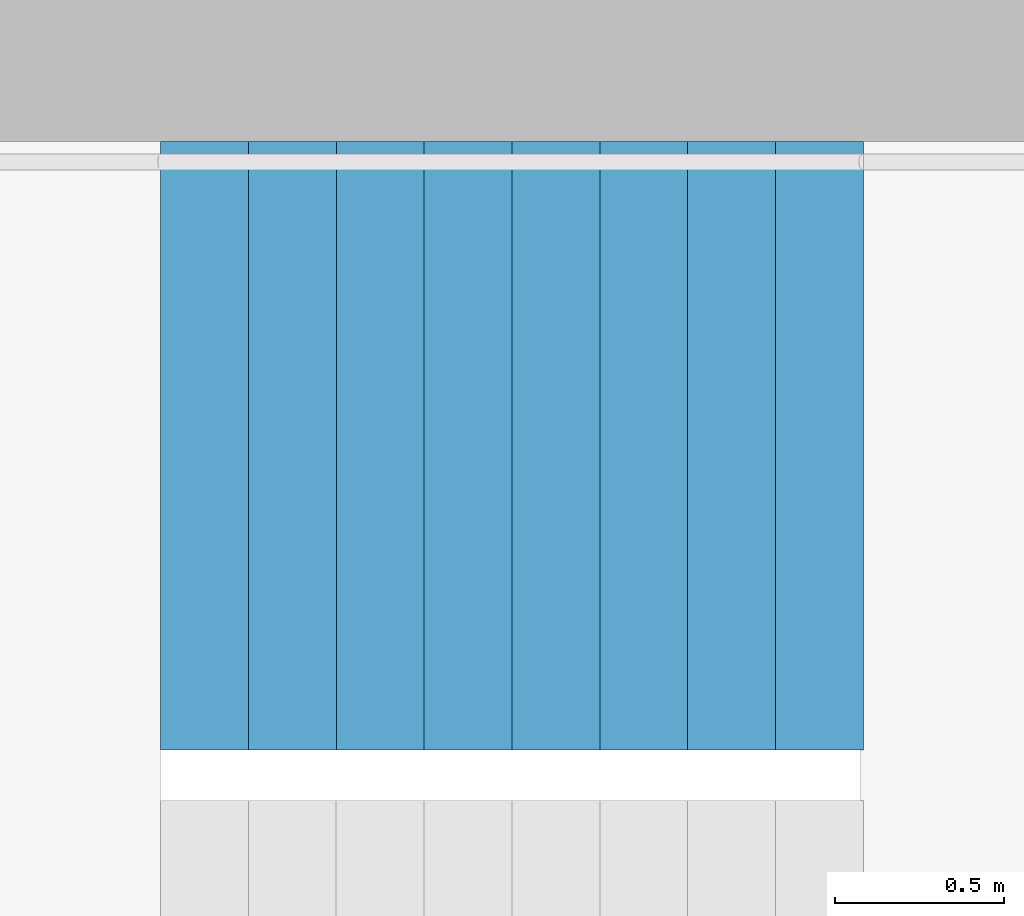
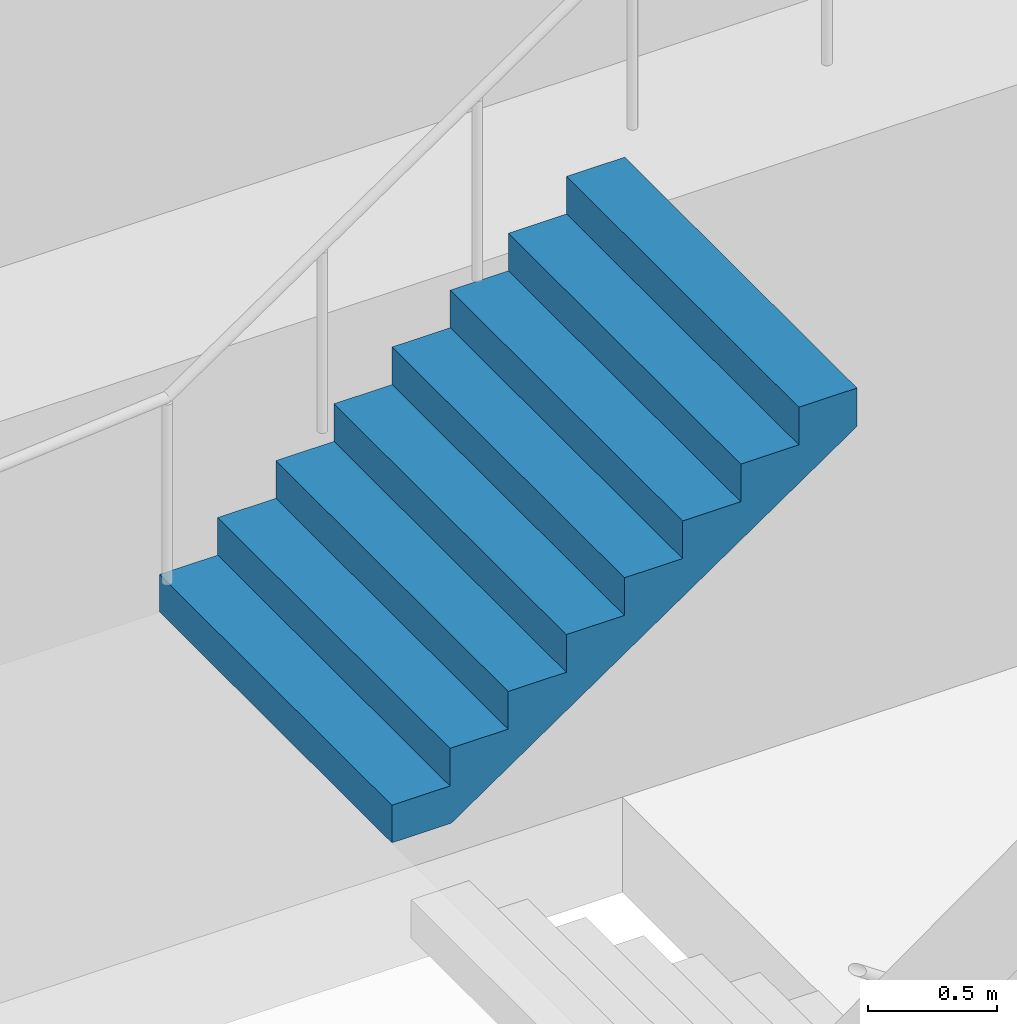
# One storey, part 24 of 25: 1 stair flight, 1 element without a shape of its own.
"""IFC4 building model written with IfcOpenShell, lengths in metres."""

from ifc_helpers import new_model, si_unit, direction, frame, origin, place, context, subcontext, project, spatial, triangles, material, type_object, element, aggregate, save


model = new_model("IFC4")

# Units and contexts
model_context = context("Model", 3, precision=1e-05, world=origin(), true_north=direction((0.0, 1.0)))
body_context = subcontext(model_context, "Body", "Model", "MODEL_VIEW")
ifc_project = project(units=[si_unit("LENGTHUNIT", "METRE"), si_unit("AREAUNIT", "SQUARE_METRE"), si_unit("VOLUMEUNIT", "CUBIC_METRE"), si_unit("PLANEANGLEUNIT", "RADIAN"), si_unit("MASSUNIT", "GRAM", prefix="KILO")], contexts=[model_context])

# Site, building, storey
site_placement = place(None, origin())
site = spatial("IfcSite", under=ifc_project, at=site_placement, CompositionType="ELEMENT")
building_placement = place(site_placement, origin())
building = spatial("IfcBuilding", under=site, at=building_placement, Name="Hakoniwa Tower and Hamabe Station Hall", CompositionType="ELEMENT")
storey_placement = place(building_placement, frame((0.0, 0.0, 186.60009765625)))
storey = spatial("IfcBuildingStorey", under=building, at=storey_placement, Name="L52", CompositionType="ELEMENT", Elevation=186.60009765625)

# Stair, stair flight
ifc_material_1 = material(Name="Concrete C40", Category="concrete")
stair_type = type_object("IfcStairType", Name="ESCAPE STAIR 1800", PredefinedType="HALF_TURN_STAIR", material=ifc_material_1)
stair_placement = place(storey_placement, origin())
stair = element("IfcStair", 1, at=stair_placement, inside=storey, type_object=stair_type, Name="Escape stair ST-3 L52", PredefinedType="HALF_TURN_STAIR")
ifc_material_2 = material(Name="Concrete C40", Category="concrete")
stair_flight_type = type_object("IfcStairFlightType", Name="STAIR FLIGHT 1800", PredefinedType="STRAIGHT", material=ifc_material_2)
stair_flight_placement = place(storey_placement, frame((22.320068359375, 6.60009765625, 1.599853515625), z_axis=(0.0, 0.0, 1.0), x_axis=(1.0, 0.0, 0.0)))
stair_flight = element("IfcStairFlight", 2, at=stair_flight_placement, type_object=stair_flight_type, Name="ST-3 flight 2", NumberOfRisers=9, NumberOfTreads=8, PredefinedType="STRAIGHT", RiserHeight=0.177777778, TreadLength=0.26, context=body_context, shape_type="Tessellation", body=[
    triangles([(0.0, 0.89990234375, 0.0), (0.260009765625, 0.89990234375, 0.0), (0.265625, 0.89990234375, 0.0), (0.52001953125, 0.89990234375, 0.174072265625), (0.780029296875, 0.89990234375, 0.351806640625), (1.0400390625, 0.89990234375, 0.529541015625), (1.300048828125, 0.89990234375, 0.707275390625), (1.56005859375, 0.89990234375, 0.885009765625), (1.820068359375, 0.89990234375, 1.062744140625), (2.080078125, 0.89990234375, 1.24072265625), (2.080078125, 0.89990234375, 1.422119140625), (1.820068359375, 0.89990234375, 1.422119140625), (1.820068359375, 0.89990234375, 1.244384765625), (1.56005859375, 0.89990234375, 1.244384765625), (1.56005859375, 0.89990234375, 1.066650390625), (1.300048828125, 0.89990234375, 1.066650390625), (1.300048828125, 0.89990234375, 0.888916015625), (1.0400390625, 0.89990234375, 0.888916015625), (1.0400390625, 0.89990234375, 0.711181640625), (0.780029296875, 0.89990234375, 0.711181640625), (0.780029296875, 0.89990234375, 0.533447265625), (0.52001953125, 0.89990234375, 0.533447265625), (0.52001953125, 0.89990234375, 0.35546875), (0.265625, 0.89990234375, 0.35546875), (0.260009765625, 0.89990234375, 0.35546875), (0.260009765625, 0.89990234375, 0.177734375), (0.0, 0.89990234375, 0.177734375), (0.0, 0.06005859375, 0.0), (0.260009765625, 0.06005859375, 0.0), (0.265625, 0.06005859375, 0.0), (0.52001953125, 0.06005859375, 0.174072265625), (0.780029296875, 0.06005859375, 0.351806640625), (1.0400390625, 0.06005859375, 0.529541015625), (1.300048828125, 0.06005859375, 0.707275390625), (1.56005859375, 0.06005859375, 0.885009765625), (1.820068359375, 0.06005859375, 1.062744140625), (2.080078125, 0.06005859375, 1.24072265625), (2.080078125, 0.06005859375, 1.422119140625), (1.820068359375, 0.06005859375, 1.422119140625), (1.820068359375, 0.06005859375, 1.244384765625), (1.56005859375, 0.06005859375, 1.244384765625), (1.56005859375, 0.06005859375, 1.066650390625), (1.300048828125, 0.06005859375, 1.066650390625), (1.300048828125, 0.06005859375, 0.888916015625), (1.0400390625, 0.06005859375, 0.888916015625), (1.0400390625, 0.06005859375, 0.711181640625), (0.780029296875, 0.06005859375, 0.711181640625), (0.780029296875, 0.06005859375, 0.533447265625), (0.52001953125, 0.06005859375, 0.533447265625), (0.52001953125, 0.06005859375, 0.35546875), (0.265625, 0.06005859375, 0.35546875), (0.260009765625, 0.06005859375, 0.35546875), (0.260009765625, 0.06005859375, 0.177734375), (0.0, 0.06005859375, 0.177734375), (0.0, 0.04296875, 0.0), (0.260009765625, 0.04296875, 0.0), (0.265625, 0.04296875, 0.0), (0.52001953125, 0.04296875, 0.174072265625), (0.780029296875, 0.04296875, 0.351806640625), (1.0400390625, 0.04296875, 0.529541015625), (1.300048828125, 0.04296875, 0.707275390625), (1.56005859375, 0.04296875, 0.885009765625), (1.820068359375, 0.04296875, 1.062744140625), (2.080078125, 0.04296875, 1.24072265625), (2.080078125, 0.04296875, 1.422119140625), (1.820068359375, 0.04296875, 1.422119140625), (1.820068359375, 0.04296875, 1.244384765625), (1.56005859375, 0.04296875, 1.244384765625), (1.56005859375, 0.04296875, 1.066650390625), (1.300048828125, 0.04296875, 1.066650390625), (1.300048828125, 0.04296875, 0.888916015625), (1.0400390625, 0.04296875, 0.888916015625), (1.0400390625, 0.04296875, 0.711181640625), (0.780029296875, 0.04296875, 0.711181640625), (0.780029296875, 0.04296875, 0.533447265625), (0.52001953125, 0.04296875, 0.533447265625), (0.52001953125, 0.04296875, 0.35546875), (0.265625, 0.04296875, 0.35546875), (0.260009765625, 0.04296875, 0.35546875), (0.260009765625, 0.04296875, 0.177734375), (0.0, 0.04296875, 0.177734375), (0.0, 0.025634765625, 0.0), (0.260009765625, 0.025634765625, 0.0), (0.265625, 0.025634765625, 0.0), (0.52001953125, 0.025634765625, 0.174072265625), (0.780029296875, 0.025634765625, 0.351806640625), (1.0400390625, 0.025634765625, 0.529541015625), (1.300048828125, 0.025634765625, 0.707275390625), (1.56005859375, 0.025634765625, 0.885009765625), (1.820068359375, 0.025634765625, 1.062744140625), (2.080078125, 0.025634765625, 1.24072265625), (2.080078125, 0.025634765625, 1.422119140625), (1.820068359375, 0.025634765625, 1.422119140625), (1.820068359375, 0.025634765625, 1.244384765625), (1.56005859375, 0.025634765625, 1.244384765625), (1.56005859375, 0.025634765625, 1.066650390625), (1.300048828125, 0.025634765625, 1.066650390625), (1.300048828125, 0.025634765625, 0.888916015625), (1.0400390625, 0.025634765625, 0.888916015625), (1.0400390625, 0.025634765625, 0.711181640625), (0.780029296875, 0.025634765625, 0.711181640625), (0.780029296875, 0.025634765625, 0.533447265625), (0.52001953125, 0.025634765625, 0.533447265625), (0.52001953125, 0.025634765625, 0.35546875), (0.265625, 0.025634765625, 0.35546875), (0.260009765625, 0.025634765625, 0.35546875), (0.260009765625, 0.025634765625, 0.177734375), (0.0, 0.025634765625, 0.177734375), (0.0, 0.008544921875, 0.0), (0.260009765625, 0.008544921875, 0.0), (0.265625, 0.008544921875, 0.0), (0.52001953125, 0.008544921875, 0.174072265625), (0.780029296875, 0.008544921875, 0.351806640625), (1.0400390625, 0.008544921875, 0.529541015625), (1.300048828125, 0.008544921875, 0.707275390625), (1.56005859375, 0.008544921875, 0.885009765625), (1.820068359375, 0.008544921875, 1.062744140625), (2.080078125, 0.008544921875, 1.24072265625), (2.080078125, 0.008544921875, 1.422119140625), (1.820068359375, 0.008544921875, 1.422119140625), (1.820068359375, 0.008544921875, 1.244384765625), (1.56005859375, 0.008544921875, 1.244384765625), (1.56005859375, 0.008544921875, 1.066650390625), (1.300048828125, 0.008544921875, 1.066650390625), (1.300048828125, 0.008544921875, 0.888916015625), (1.0400390625, 0.008544921875, 0.888916015625), (1.0400390625, 0.008544921875, 0.711181640625), (0.780029296875, 0.008544921875, 0.711181640625), (0.780029296875, 0.008544921875, 0.533447265625), (0.52001953125, 0.008544921875, 0.533447265625), (0.52001953125, 0.008544921875, 0.35546875), (0.265625, 0.008544921875, 0.35546875), (0.260009765625, 0.008544921875, 0.35546875), (0.260009765625, 0.008544921875, 0.177734375), (0.0, 0.008544921875, 0.177734375), (0.0, -0.008544921875, 0.0), (0.260009765625, -0.008544921875, 0.0), (0.265625, -0.008544921875, 0.0), (0.52001953125, -0.008544921875, 0.174072265625), (0.780029296875, -0.008544921875, 0.351806640625), (1.0400390625, -0.008544921875, 0.529541015625), (1.300048828125, -0.008544921875, 0.707275390625), (1.56005859375, -0.008544921875, 0.885009765625), (1.820068359375, -0.008544921875, 1.062744140625), (2.080078125, -0.008544921875, 1.24072265625), (2.080078125, -0.008544921875, 1.422119140625), (1.820068359375, -0.008544921875, 1.422119140625), (1.820068359375, -0.008544921875, 1.244384765625), (1.56005859375, -0.008544921875, 1.244384765625), (1.56005859375, -0.008544921875, 1.066650390625), (1.300048828125, -0.008544921875, 1.066650390625), (1.300048828125, -0.008544921875, 0.888916015625), (1.0400390625, -0.008544921875, 0.888916015625), (1.0400390625, -0.008544921875, 0.711181640625), (0.780029296875, -0.008544921875, 0.711181640625), (0.780029296875, -0.008544921875, 0.533447265625), (0.52001953125, -0.008544921875, 0.533447265625), (0.52001953125, -0.008544921875, 0.35546875), (0.265625, -0.008544921875, 0.35546875), (0.260009765625, -0.008544921875, 0.35546875), (0.260009765625, -0.008544921875, 0.177734375), (0.0, -0.008544921875, 0.177734375), (0.0, -0.025634765625, 0.0), (0.260009765625, -0.025634765625, 0.0), (0.265625, -0.025634765625, 0.0), (0.52001953125, -0.025634765625, 0.174072265625), (0.780029296875, -0.025634765625, 0.351806640625), (1.0400390625, -0.025634765625, 0.529541015625), (1.300048828125, -0.025634765625, 0.707275390625), (1.56005859375, -0.025634765625, 0.885009765625), (1.820068359375, -0.025634765625, 1.062744140625), (2.080078125, -0.025634765625, 1.24072265625), (2.080078125, -0.025634765625, 1.422119140625), (1.820068359375, -0.025634765625, 1.422119140625), (1.820068359375, -0.025634765625, 1.244384765625), (1.56005859375, -0.025634765625, 1.244384765625), (1.56005859375, -0.025634765625, 1.066650390625), (1.300048828125, -0.025634765625, 1.066650390625), (1.300048828125, -0.025634765625, 0.888916015625), (1.0400390625, -0.025634765625, 0.888916015625), (1.0400390625, -0.025634765625, 0.711181640625), (0.780029296875, -0.025634765625, 0.711181640625), (0.780029296875, -0.025634765625, 0.533447265625), (0.52001953125, -0.025634765625, 0.533447265625), (0.52001953125, -0.025634765625, 0.35546875), (0.265625, -0.025634765625, 0.35546875), (0.260009765625, -0.025634765625, 0.35546875), (0.260009765625, -0.025634765625, 0.177734375), (0.0, -0.025634765625, 0.177734375), (0.0, -0.04296875, 0.0), (0.260009765625, -0.04296875, 0.0), (0.265625, -0.04296875, 0.0), (0.52001953125, -0.04296875, 0.174072265625), (0.780029296875, -0.04296875, 0.351806640625), (1.0400390625, -0.04296875, 0.529541015625), (1.300048828125, -0.04296875, 0.707275390625), (1.56005859375, -0.04296875, 0.885009765625), (1.820068359375, -0.04296875, 1.062744140625), (2.080078125, -0.04296875, 1.24072265625), (2.080078125, -0.04296875, 1.422119140625), (1.820068359375, -0.04296875, 1.422119140625), (1.820068359375, -0.04296875, 1.244384765625), (1.56005859375, -0.04296875, 1.244384765625), (1.56005859375, -0.04296875, 1.066650390625), (1.300048828125, -0.04296875, 1.066650390625), (1.300048828125, -0.04296875, 0.888916015625), (1.0400390625, -0.04296875, 0.888916015625), (1.0400390625, -0.04296875, 0.711181640625), (0.780029296875, -0.04296875, 0.711181640625), (0.780029296875, -0.04296875, 0.533447265625), (0.52001953125, -0.04296875, 0.533447265625), (0.52001953125, -0.04296875, 0.35546875), (0.265625, -0.04296875, 0.35546875), (0.260009765625, -0.04296875, 0.35546875), (0.260009765625, -0.04296875, 0.177734375), (0.0, -0.04296875, 0.177734375), (0.0, -0.06005859375, 0.0), (0.260009765625, -0.06005859375, 0.0), (0.265625, -0.06005859375, 0.0), (0.52001953125, -0.06005859375, 0.174072265625), (0.780029296875, -0.06005859375, 0.351806640625), (1.0400390625, -0.06005859375, 0.529541015625), (1.300048828125, -0.06005859375, 0.707275390625), (1.56005859375, -0.06005859375, 0.885009765625), (1.820068359375, -0.06005859375, 1.062744140625), (2.080078125, -0.06005859375, 1.24072265625), (2.080078125, -0.06005859375, 1.422119140625), (1.820068359375, -0.06005859375, 1.422119140625), (1.820068359375, -0.06005859375, 1.244384765625), (1.56005859375, -0.06005859375, 1.244384765625), (1.56005859375, -0.06005859375, 1.066650390625), (1.300048828125, -0.06005859375, 1.066650390625), (1.300048828125, -0.06005859375, 0.888916015625), (1.0400390625, -0.06005859375, 0.888916015625), (1.0400390625, -0.06005859375, 0.711181640625), (0.780029296875, -0.06005859375, 0.711181640625), (0.780029296875, -0.06005859375, 0.533447265625), (0.52001953125, -0.06005859375, 0.533447265625), (0.52001953125, -0.06005859375, 0.35546875), (0.265625, -0.06005859375, 0.35546875), (0.260009765625, -0.06005859375, 0.35546875), (0.260009765625, -0.06005859375, 0.177734375), (0.0, -0.06005859375, 0.177734375), (0.0, -0.89990234375, 0.0), (0.260009765625, -0.89990234375, 0.0), (0.265625, -0.89990234375, 0.0), (0.52001953125, -0.89990234375, 0.174072265625), (0.780029296875, -0.89990234375, 0.351806640625), (1.0400390625, -0.89990234375, 0.529541015625), (1.300048828125, -0.89990234375, 0.707275390625), (1.56005859375, -0.89990234375, 0.885009765625), (1.820068359375, -0.89990234375, 1.062744140625), (2.080078125, -0.89990234375, 1.24072265625), (2.080078125, -0.89990234375, 1.422119140625), (1.820068359375, -0.89990234375, 1.422119140625), (1.820068359375, -0.89990234375, 1.244384765625), (1.56005859375, -0.89990234375, 1.244384765625), (1.56005859375, -0.89990234375, 1.066650390625), (1.300048828125, -0.89990234375, 1.066650390625), (1.300048828125, -0.89990234375, 0.888916015625), (1.0400390625, -0.89990234375, 0.888916015625), (1.0400390625, -0.89990234375, 0.711181640625), (0.780029296875, -0.89990234375, 0.711181640625), (0.780029296875, -0.89990234375, 0.533447265625), (0.52001953125, -0.89990234375, 0.533447265625), (0.52001953125, -0.89990234375, 0.35546875), (0.265625, -0.89990234375, 0.35546875), (0.260009765625, -0.89990234375, 0.35546875), (0.260009765625, -0.89990234375, 0.177734375), (0.0, -0.89990234375, 0.177734375)], [[2, 27, 26], [245, 269, 270], [2, 1, 27], [245, 270, 244], [3, 25, 24], [246, 267, 268], [3, 26, 25], [246, 268, 269], [3, 2, 26], [246, 269, 245], [4, 24, 23], [247, 266, 267], [4, 3, 24], [247, 267, 246], [5, 22, 21], [248, 264, 265], [5, 23, 22], [248, 265, 266], [5, 4, 23], [248, 266, 247], [6, 20, 19], [249, 262, 263], [6, 21, 20], [249, 263, 264], [6, 5, 21], [249, 264, 248], [7, 18, 17], [250, 260, 261], [7, 19, 18], [250, 261, 262], [7, 6, 19], [250, 262, 249], [8, 16, 15], [251, 258, 259], [8, 17, 16], [251, 259, 260], [8, 7, 17], [251, 260, 250], [9, 14, 13], [252, 256, 257], [9, 15, 14], [252, 257, 258], [9, 8, 15], [252, 258, 251], [10, 12, 11], [253, 254, 255], [10, 13, 12], [253, 255, 256], [10, 9, 13], [253, 256, 252], [1, 2, 29], [1, 29, 28], [28, 29, 56], [28, 56, 55], [55, 56, 83], [55, 83, 82], [82, 83, 110], [82, 110, 109], [109, 110, 137], [109, 137, 136], [136, 137, 164], [136, 164, 163], [163, 164, 191], [163, 191, 190], [190, 191, 218], [190, 218, 217], [217, 218, 245], [217, 245, 244], [2, 3, 30], [2, 30, 29], [29, 30, 57], [29, 57, 56], [56, 57, 84], [56, 84, 83], [83, 84, 111], [83, 111, 110], [110, 111, 138], [110, 138, 137], [137, 138, 165], [137, 165, 164], [164, 165, 192], [164, 192, 191], [191, 192, 219], [191, 219, 218], [218, 219, 246], [218, 246, 245], [3, 4, 31], [3, 31, 30], [30, 31, 58], [30, 58, 57], [57, 58, 85], [57, 85, 84], [84, 85, 112], [84, 112, 111], [111, 112, 139], [111, 139, 138], [138, 139, 166], [138, 166, 165], [165, 166, 193], [165, 193, 192], [192, 193, 220], [192, 220, 219], [219, 220, 247], [219, 247, 246], [4, 5, 32], [4, 32, 31], [31, 32, 59], [31, 59, 58], [58, 59, 86], [58, 86, 85], [85, 86, 113], [85, 113, 112], [112, 113, 140], [112, 140, 139], [139, 140, 167], [139, 167, 166], [166, 167, 194], [166, 194, 193], [193, 194, 221], [193, 221, 220], [220, 221, 248], [220, 248, 247], [5, 6, 33], [5, 33, 32], [32, 33, 60], [32, 60, 59], [59, 60, 87], [59, 87, 86], [86, 87, 114], [86, 114, 113], [113, 114, 141], [113, 141, 140], [140, 141, 168], [140, 168, 167], [167, 168, 195], [167, 195, 194], [194, 195, 222], [194, 222, 221], [221, 222, 249], [221, 249, 248], [6, 7, 34], [6, 34, 33], [33, 34, 61], [33, 61, 60], [60, 61, 88], [60, 88, 87], [87, 88, 115], [87, 115, 114], [114, 115, 142], [114, 142, 141], [141, 142, 169], [141, 169, 168], [168, 169, 196], [168, 196, 195], [195, 196, 223], [195, 223, 222], [222, 223, 250], [222, 250, 249], [7, 8, 35], [7, 35, 34], [34, 35, 62], [34, 62, 61], [61, 62, 89], [61, 89, 88], [88, 89, 116], [88, 116, 115], [115, 116, 143], [115, 143, 142], [142, 143, 170], [142, 170, 169], [169, 170, 197], [169, 197, 196], [196, 197, 224], [196, 224, 223], [223, 224, 251], [223, 251, 250], [8, 9, 36], [8, 36, 35], [35, 36, 63], [35, 63, 62], [62, 63, 90], [62, 90, 89], [89, 90, 117], [89, 117, 116], [116, 117, 144], [116, 144, 143], [143, 144, 171], [143, 171, 170], [170, 171, 198], [170, 198, 197], [197, 198, 225], [197, 225, 224], [224, 225, 252], [224, 252, 251], [9, 10, 37], [9, 37, 36], [36, 37, 64], [36, 64, 63], [63, 64, 91], [63, 91, 90], [90, 91, 118], [90, 118, 117], [117, 118, 145], [117, 145, 144], [144, 145, 172], [144, 172, 171], [171, 172, 199], [171, 199, 198], [198, 199, 226], [198, 226, 225], [225, 226, 253], [225, 253, 252], [10, 11, 38], [10, 38, 37], [37, 38, 65], [37, 65, 64], [64, 65, 92], [64, 92, 91], [91, 92, 119], [91, 119, 118], [118, 119, 146], [118, 146, 145], [145, 146, 173], [145, 173, 172], [172, 173, 200], [172, 200, 199], [199, 200, 227], [199, 227, 226], [226, 227, 254], [226, 254, 253], [11, 12, 39], [11, 39, 38], [38, 39, 66], [38, 66, 65], [65, 66, 93], [65, 93, 92], [92, 93, 120], [92, 120, 119], [119, 120, 147], [119, 147, 146], [146, 147, 174], [146, 174, 173], [173, 174, 201], [173, 201, 200], [200, 201, 228], [200, 228, 227], [227, 228, 255], [227, 255, 254], [12, 13, 40], [12, 40, 39], [39, 40, 67], [39, 67, 66], [66, 67, 94], [66, 94, 93], [93, 94, 121], [93, 121, 120], [120, 121, 148], [120, 148, 147], [147, 148, 175], [147, 175, 174], [174, 175, 202], [174, 202, 201], [201, 202, 229], [201, 229, 228], [228, 229, 256], [228, 256, 255], [13, 14, 41], [13, 41, 40], [40, 41, 68], [40, 68, 67], [67, 68, 95], [67, 95, 94], [94, 95, 122], [94, 122, 121], [121, 122, 149], [121, 149, 148], [148, 149, 176], [148, 176, 175], [175, 176, 203], [175, 203, 202], [202, 203, 230], [202, 230, 229], [229, 230, 257], [229, 257, 256], [14, 15, 42], [14, 42, 41], [41, 42, 69], [41, 69, 68], [68, 69, 96], [68, 96, 95], [95, 96, 123], [95, 123, 122], [122, 123, 150], [122, 150, 149], [149, 150, 177], [149, 177, 176], [176, 177, 204], [176, 204, 203], [203, 204, 231], [203, 231, 230], [230, 231, 258], [230, 258, 257], [15, 16, 43], [15, 43, 42], [42, 43, 70], [42, 70, 69], [69, 70, 97], [69, 97, 96], [96, 97, 124], [96, 124, 123], [123, 124, 151], [123, 151, 150], [150, 151, 178], [150, 178, 177], [177, 178, 205], [177, 205, 204], [204, 205, 232], [204, 232, 231], [231, 232, 259], [231, 259, 258], [16, 17, 44], [16, 44, 43], [43, 44, 71], [43, 71, 70], [70, 71, 98], [70, 98, 97], [97, 98, 125], [97, 125, 124], [124, 125, 152], [124, 152, 151], [151, 152, 179], [151, 179, 178], [178, 179, 206], [178, 206, 205], [205, 206, 233], [205, 233, 232], [232, 233, 260], [232, 260, 259], [17, 18, 45], [17, 45, 44], [44, 45, 72], [44, 72, 71], [71, 72, 99], [71, 99, 98], [98, 99, 126], [98, 126, 125], [125, 126, 153], [125, 153, 152], [152, 153, 180], [152, 180, 179], [179, 180, 207], [179, 207, 206], [206, 207, 234], [206, 234, 233], [233, 234, 261], [233, 261, 260], [18, 19, 46], [18, 46, 45], [45, 46, 73], [45, 73, 72], [72, 73, 100], [72, 100, 99], [99, 100, 127], [99, 127, 126], [126, 127, 154], [126, 154, 153], [153, 154, 181], [153, 181, 180], [180, 181, 208], [180, 208, 207], [207, 208, 235], [207, 235, 234], [234, 235, 262], [234, 262, 261], [19, 20, 47], [19, 47, 46], [46, 47, 74], [46, 74, 73], [73, 74, 101], [73, 101, 100], [100, 101, 128], [100, 128, 127], [127, 128, 155], [127, 155, 154], [154, 155, 182], [154, 182, 181], [181, 182, 209], [181, 209, 208], [208, 209, 236], [208, 236, 235], [235, 236, 263], [235, 263, 262], [20, 21, 48], [20, 48, 47], [47, 48, 75], [47, 75, 74], [74, 75, 102], [74, 102, 101], [101, 102, 129], [101, 129, 128], [128, 129, 156], [128, 156, 155], [155, 156, 183], [155, 183, 182], [182, 183, 210], [182, 210, 209], [209, 210, 237], [209, 237, 236], [236, 237, 264], [236, 264, 263], [21, 22, 49], [21, 49, 48], [48, 49, 76], [48, 76, 75], [75, 76, 103], [75, 103, 102], [102, 103, 130], [102, 130, 129], [129, 130, 157], [129, 157, 156], [156, 157, 184], [156, 184, 183], [183, 184, 211], [183, 211, 210], [210, 211, 238], [210, 238, 237], [237, 238, 265], [237, 265, 264], [22, 23, 50], [22, 50, 49], [49, 50, 77], [49, 77, 76], [76, 77, 104], [76, 104, 103], [103, 104, 131], [103, 131, 130], [130, 131, 158], [130, 158, 157], [157, 158, 185], [157, 185, 184], [184, 185, 212], [184, 212, 211], [211, 212, 239], [211, 239, 238], [238, 239, 266], [238, 266, 265], [23, 24, 51], [23, 51, 50], [50, 51, 78], [50, 78, 77], [77, 78, 105], [77, 105, 104], [104, 105, 132], [104, 132, 131], [131, 132, 159], [131, 159, 158], [158, 159, 186], [158, 186, 185], [185, 186, 213], [185, 213, 212], [212, 213, 240], [212, 240, 239], [239, 240, 267], [239, 267, 266], [24, 25, 52], [24, 52, 51], [51, 52, 79], [51, 79, 78], [78, 79, 106], [78, 106, 105], [105, 106, 133], [105, 133, 132], [132, 133, 160], [132, 160, 159], [159, 160, 187], [159, 187, 186], [186, 187, 214], [186, 214, 213], [213, 214, 241], [213, 241, 240], [240, 241, 268], [240, 268, 267], [25, 26, 53], [25, 53, 52], [52, 53, 80], [52, 80, 79], [79, 80, 107], [79, 107, 106], [106, 107, 134], [106, 134, 133], [133, 134, 161], [133, 161, 160], [160, 161, 188], [160, 188, 187], [187, 188, 215], [187, 215, 214], [214, 215, 242], [214, 242, 241], [241, 242, 269], [241, 269, 268], [26, 27, 54], [26, 54, 53], [53, 54, 81], [53, 81, 80], [80, 81, 108], [80, 108, 107], [107, 108, 135], [107, 135, 134], [134, 135, 162], [134, 162, 161], [161, 162, 189], [161, 189, 188], [188, 189, 216], [188, 216, 215], [215, 216, 243], [215, 243, 242], [242, 243, 270], [242, 270, 269], [27, 1, 28], [27, 28, 54], [54, 28, 55], [54, 55, 81], [81, 55, 82], [81, 82, 108], [108, 82, 109], [108, 109, 135], [135, 109, 136], [135, 136, 162], [162, 136, 163], [162, 163, 189], [189, 163, 190], [189, 190, 216], [216, 190, 217], [216, 217, 243], [243, 217, 244], [243, 244, 270]], closed=True),
])
aggregate(stair, [stair_flight])

save(model, "model.ifc")
